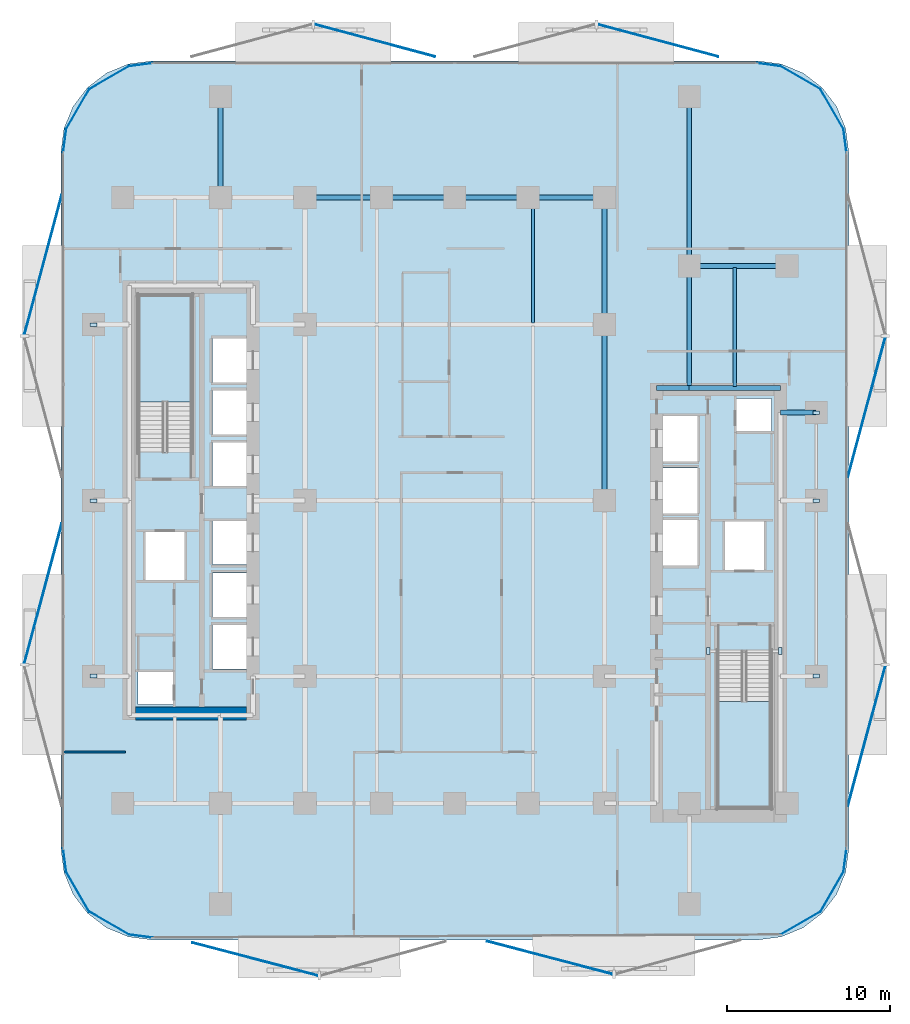
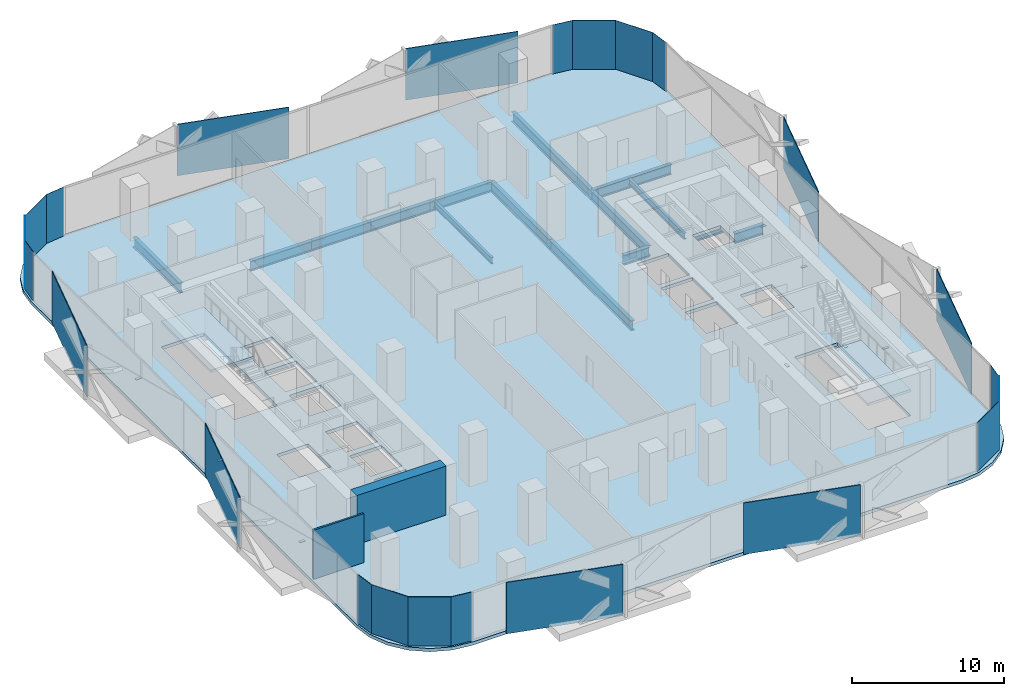
# One storey, part 2 of 16: 31 plates, 15 beams, 3 slabs, 2 walls, 2 elements without a shape of their own.
"""IFC4 building model written with IfcOpenShell, lengths in metres."""

from ifc_helpers import new_model, si_unit, direction, frame, frame_2d, origin, origin_2d, place, context, subcontext, project, spatial, polyline, rectangle, i_section, outline, extrude, material, layer, layer_set, material_profile, profile_set, type_object, element, aggregate, save


model = new_model("IFC4")

# Units and contexts
model_context = context("Model", 3, precision=1e-05, world=origin(), true_north=direction((0.0, 1.0)))
body_context = subcontext(model_context, "Body", "Model", "MODEL_VIEW")
ifc_project = project(units=[si_unit("LENGTHUNIT", "METRE"), si_unit("AREAUNIT", "SQUARE_METRE"), si_unit("VOLUMEUNIT", "CUBIC_METRE"), si_unit("PLANEANGLEUNIT", "RADIAN"), si_unit("MASSUNIT", "GRAM", prefix="KILO")], contexts=[model_context])

# Site, building, storey
site_placement = place(None, origin())
site = spatial("IfcSite", under=ifc_project, at=site_placement, CompositionType="ELEMENT")
building_placement = place(site_placement, origin())
building = spatial("IfcBuilding", under=site, at=building_placement, Name="Khairoan Windgate Tower", CompositionType="ELEMENT")
storey_placement = place(building_placement, frame((0.0, 0.0, 42.800048828125)))
storey = spatial("IfcBuildingStorey", under=building, at=storey_placement, Name="L10", CompositionType="ELEMENT", Elevation=42.800048828125)

# Beams
ifc_material_1 = material(Name="Steel S355", Category="steel")
ifc_material_profile_1 = material_profile(ifc_material_1, i_section(OverallWidth=0.300048828125, OverallDepth=0.800048828125, WebThickness=0.013916015625, FlangeThickness=0.02587890625, FilletRadius=0.028076171875, at=origin_2d()))
ifc_profile_set_1 = profile_set([ifc_material_profile_1], Name="Steel S355")
beam_type_1 = type_object("IfcBeamType", Name="Beam B-G2 H800x300x14x26", PredefinedType="BEAM", material=ifc_profile_set_1)
beam_1_placement = place(storey_placement, frame((20.0, 5.39990234375, -0.66015625), z_axis=(1.0, 0.0, 0.0), x_axis=(0.0, 1.0, 0.0)))
element("IfcBeam", 1, at=beam_1_placement, inside=storey, type_object=beam_type_1, Name="L10 E-W Primary Girder 19", PredefinedType="BEAM", context=body_context, shape_type="SweptSolid", body=[
    extrude(i_section(OverallWidth=0.300048828125, OverallDepth=0.800048828125, WebThickness=0.013916015625, FlangeThickness=0.02587890625, FilletRadius=0.028076171875, at=origin_2d()), origin(), (0.0, 0.0, 1.0), 2.199951171875),
])
beam_2_placement = place(storey_placement, frame((12.39990234375, 6.89990234375, -0.66015625), z_axis=(1.0, 0.0, 0.0), x_axis=(0.0, 1.0, 0.0)))
element("IfcBeam", 2, at=beam_2_placement, inside=storey, type_object=beam_type_1, Name="L10 E-W Primary Girder 20", PredefinedType="BEAM", context=body_context, shape_type="SweptSolid", body=[
    extrude(i_section(OverallWidth=0.300048828125, OverallDepth=0.800048828125, WebThickness=0.013916015625, FlangeThickness=0.02587890625, FilletRadius=0.028076171875, at=origin_2d()), origin(), (0.0, 0.0, 1.0), 2.0),
])
beam_3_placement = place(storey_placement, frame((14.39990234375, 6.89990234375, -0.66015625), z_axis=(1.0, 0.0, 0.0), x_axis=(0.0, 1.0, 0.0)))
element("IfcBeam", 3, at=beam_3_placement, inside=storey, type_object=beam_type_1, Name="L10 E-W Primary Girder 21", PredefinedType="BEAM", context=body_context, shape_type="SweptSolid", body=[
    extrude(i_section(OverallWidth=0.300048828125, OverallDepth=0.800048828125, WebThickness=0.013916015625, FlangeThickness=0.02587890625, FilletRadius=0.028076171875, at=origin_2d()), origin(), (0.0, 0.0, 1.0), 5.60009765625),
])
beam_4_placement = place(storey_placement, frame((14.39990234375, 14.39990234375, -0.66015625), z_axis=(1.0, 0.0, 0.0), x_axis=(0.0, 1.0, 0.0)))
element("IfcBeam", 4, at=beam_4_placement, inside=storey, type_object=beam_type_1, Name="L10 E-W Primary Girder 27", PredefinedType="BEAM", context=body_context, shape_type="SweptSolid", body=[
    extrude(i_section(OverallWidth=0.300048828125, OverallDepth=0.800048828125, WebThickness=0.013916015625, FlangeThickness=0.02587890625, FilletRadius=0.028076171875, at=origin_2d()), origin(), (0.0, 0.0, 1.0), 6.0),
])
beam_5_placement = place(storey_placement, frame((-9.199951171875, 18.60009765625, -0.66015625), z_axis=(1.0, 0.0, 0.0), x_axis=(0.0, 1.0, 0.0)))
element("IfcBeam", 5, at=beam_5_placement, inside=storey, type_object=beam_type_1, Name="L10 E-W Primary Girder 30", PredefinedType="BEAM", context=body_context, shape_type="SweptSolid", body=[
    extrude(i_section(OverallWidth=0.300048828125, OverallDepth=0.800048828125, WebThickness=0.013916015625, FlangeThickness=0.02587890625, FilletRadius=0.028076171875, at=origin_2d()), origin(), (0.0, 0.0, 1.0), 4.699951171875),
])
for number, where, z_axis, x_axis, name in (
    (6, (-4.5, 18.60009765625, -0.66015625), (1.0, 0.0, 0.0), (0.0, 1.0, 0.0), "L10 E-W Primary Girder 31"),
    (7, (0.0, 18.60009765625, -0.66015625), (1.0, 0.0, 0.0), (0.0, 1.0, 0.0), "L10 E-W Primary Girder 32"),
):
    element("IfcBeam", number, at=place(storey_placement, frame(where, z_axis=z_axis, x_axis=x_axis)), inside=storey, type_object=beam_type_1, Name=name, PredefinedType="BEAM", context=body_context, shape_type="SweptSolid", body=[
        extrude(i_section(OverallWidth=0.300048828125, OverallDepth=0.800048828125, WebThickness=0.013916015625, FlangeThickness=0.02587890625, FilletRadius=0.028076171875, at=origin_2d()), origin(), (0.0, 0.0, 1.0), 4.5),
    ])
beam_6_placement = place(storey_placement, frame((4.5, 18.60009765625, -0.66015625), z_axis=(1.0, 0.0, 0.0), x_axis=(0.0, 1.0, 0.0)))
element("IfcBeam", 8, at=beam_6_placement, inside=storey, type_object=beam_type_1, Name="L10 E-W Primary Girder 33", PredefinedType="BEAM", context=body_context, shape_type="SweptSolid", body=[
    extrude(i_section(OverallWidth=0.300048828125, OverallDepth=0.800048828125, WebThickness=0.013916015625, FlangeThickness=0.02587890625, FilletRadius=0.028076171875, at=origin_2d()), origin(), (0.0, 0.0, 1.0), 4.699951171875),
])
beam_7_placement = place(storey_placement, frame((-14.39990234375, 18.60009765625, -0.66015625), z_axis=(0.0, 1.0, 0.0), x_axis=(-1.0, 0.0, 0.0)))
element("IfcBeam", 9, at=beam_7_placement, inside=storey, type_object=beam_type_1, Name="L10 N-S Primary Beam 43", PredefinedType="BEAM", context=body_context, shape_type="SweptSolid", body=[
    extrude(i_section(OverallWidth=0.300048828125, OverallDepth=0.800048828125, WebThickness=0.013916015625, FlangeThickness=0.02587890625, FilletRadius=0.028076171875, at=origin_2d()), origin(), (0.0, 0.0, 1.0), 6.199951171875),
])
beam_8_placement = place(storey_placement, frame((9.199951171875, 0.0, -0.66015625), z_axis=(0.0, 1.0, 0.0), x_axis=(-1.0, 0.0, 0.0)))
element("IfcBeam", 10, at=beam_8_placement, inside=storey, type_object=beam_type_1, Name="L10 N-S Primary Beam 52", PredefinedType="BEAM", context=body_context, shape_type="SweptSolid", body=[
    extrude(i_section(OverallWidth=0.300048828125, OverallDepth=0.800048828125, WebThickness=0.013916015625, FlangeThickness=0.02587890625, FilletRadius=0.028076171875, at=origin_2d()), origin(), (0.0, 0.0, 1.0), 10.800048828125),
])
beam_9_placement = place(storey_placement, frame((9.199951171875, 10.800048828125, -0.66015625), z_axis=(0.0, 1.0, 0.0), x_axis=(-1.0, 0.0, 0.0)))
element("IfcBeam", 11, at=beam_9_placement, inside=storey, type_object=beam_type_1, Name="L10 N-S Primary Beam 53", PredefinedType="BEAM", context=body_context, shape_type="SweptSolid", body=[
    extrude(i_section(OverallWidth=0.300048828125, OverallDepth=0.800048828125, WebThickness=0.013916015625, FlangeThickness=0.02587890625, FilletRadius=0.028076171875, at=origin_2d()), origin(), (0.0, 0.0, 1.0), 7.800048828125),
])
beam_10_placement = place(storey_placement, frame((14.39990234375, 6.89990234375, -0.66015625), z_axis=(0.0, 1.0, 0.0), x_axis=(-1.0, 0.0, 0.0)))
element("IfcBeam", 12, at=beam_10_placement, inside=storey, type_object=beam_type_1, Name="L10 N-S Primary Beam 56", PredefinedType="BEAM", context=body_context, shape_type="SweptSolid", body=[
    extrude(i_section(OverallWidth=0.300048828125, OverallDepth=0.800048828125, WebThickness=0.013916015625, FlangeThickness=0.02587890625, FilletRadius=0.028076171875, at=origin_2d()), origin(), (0.0, 0.0, 1.0), 7.5),
])
beam_11_placement = place(storey_placement, frame((14.39990234375, 14.39990234375, -0.66015625), z_axis=(0.0, 1.0, 0.0), x_axis=(-1.0, 0.0, 0.0)))
element("IfcBeam", 13, at=beam_11_placement, inside=storey, type_object=beam_type_1, Name="L10 N-S Primary Beam 57", PredefinedType="BEAM", context=body_context, shape_type="SweptSolid", body=[
    extrude(i_section(OverallWidth=0.300048828125, OverallDepth=0.800048828125, WebThickness=0.013916015625, FlangeThickness=0.02587890625, FilletRadius=0.028076171875, at=origin_2d()), origin(), (0.0, 0.0, 1.0), 10.400146484375),
])
ifc_material_2 = material(Name="Steel S355", Category="steel")
ifc_material_profile_2 = material_profile(ifc_material_2, i_section(OverallWidth=0.199951171875, OverallDepth=0.5, WebThickness=0.010009765625, FlangeThickness=0.01611328125, FilletRadius=0.02001953125, at=origin_2d()))
ifc_profile_set_2 = profile_set([ifc_material_profile_2], Name="Steel S355")
beam_type_2 = type_object("IfcBeamType", Name="Beam J-S2 H500x200x10x16", PredefinedType="JOIST", material=ifc_profile_set_2)
beam_12_placement = place(storey_placement, frame((4.800048828125, 10.889892578125, -0.510009765625), z_axis=(0.0, 1.0, 0.0), x_axis=(-1.0, 0.0, 0.0)))
element("IfcBeam", 14, at=beam_12_placement, inside=storey, type_object=beam_type_2, Name="L10 Secondary Floor Joist 10", PredefinedType="JOIST", context=body_context, shape_type="SweptSolid", body=[
    extrude(i_section(OverallWidth=0.199951171875, OverallDepth=0.5, WebThickness=0.010009765625, FlangeThickness=0.01611328125, FilletRadius=0.02001953125, at=origin_2d()), origin(), (0.0, 0.0, 1.0), 7.6201171875),
])
beam_13_placement = place(storey_placement, frame((17.199951171875, 6.989990234375, -0.510009765625), z_axis=(0.0, 1.0, 0.0), x_axis=(-1.0, 0.0, 0.0)))
element("IfcBeam", 15, at=beam_13_placement, inside=storey, type_object=beam_type_2, Name="L10 Secondary Floor Joist 11", PredefinedType="JOIST", context=body_context, shape_type="SweptSolid", body=[
    extrude(i_section(OverallWidth=0.199951171875, OverallDepth=0.5, WebThickness=0.010009765625, FlangeThickness=0.01611328125, FilletRadius=0.02001953125, at=origin_2d()), origin(), (0.0, 0.0, 1.0), 7.320068359375),
])

# Plates
ifc_material_3 = material(Name="Low-E Solar Control Laminated Glass", Category="glass")
ifc_layer_1 = layer(ifc_material_3, 0.030029296875, Name="Low-E Solar Control Laminated Glass")
ifc_layer_set_1 = layer_set([ifc_layer_1], Name="Low-E Solar Control Laminated Glass")
plate_type_1 = type_object("IfcPlateType", Name="Aerodynamic Wind-Corner Curved Glazing Plate", PredefinedType="USERDEFINED", material=ifc_layer_set_1)
plate_placement = place(storey_placement, frame((-19.302001953125, -26.766357421875, 0.0), z_axis=(0.0, 0.0, 1.0), x_axis=(-0.991444861374, 0.13052619222, 0.0)))
element("IfcPlate", 16, at=plate_placement, inside=storey, type_object=plate_type_1, Name="L10 Aerodynamic Wind-Corner Curved Glazing Panel 2", ObjectType="GLAZING PANEL", PredefinedType="USERDEFINED", context=body_context, shape_type="SweptSolid", body=[
    extrude(rectangle(XDim=1.474365234375, YDim=0.028076171875, at=origin_2d()), origin(), (0.0, 0.0, 1.0), 3.93994140625),
])
for number, where, z_axis, x_axis, name in (
    (17, (-21.236328125, -25.96630859375, 0.0), (0.0, 0.0, 1.0), (-0.866025403784, 0.5, 0.0), "L10 Aerodynamic Wind-Corner Curved Glazing Panel 3"),
    (18, (-23.16650390625, -24.03662109375, 0.0), (0.0, 0.0, 1.0), (-0.5, 0.866025403784, 0.0), "L10 Aerodynamic Wind-Corner Curved Glazing Panel 4"),
):
    element("IfcPlate", number, at=place(storey_placement, frame(where, z_axis=z_axis, x_axis=x_axis)), inside=storey, type_object=plate_type_1, Name=name, ObjectType="GLAZING PANEL", PredefinedType="USERDEFINED", context=body_context, shape_type="SweptSolid", body=[
        extrude(rectangle(XDim=2.86572265625, YDim=0.028076171875, at=origin_2d()), origin(), (0.0, 0.0, 1.0), 3.93994140625),
    ])
for number, where, z_axis, x_axis, name in (
    (19, (-23.96630859375, -22.101806640625, 0.0), (0.0, 0.0, 1.0), (-0.13052619222, 0.991444861374, 0.0), "L10 Aerodynamic Wind-Corner Curved Glazing Panel 5"),
    (20, (-23.96630859375, 22.101806640625, 0.0), (0.0, 0.0, 1.0), (0.13052619222, 0.991444861374, 0.0), "L10 Aerodynamic Wind-Corner Curved Glazing Panel 7"),
):
    element("IfcPlate", number, at=place(storey_placement, frame(where, z_axis=z_axis, x_axis=x_axis)), inside=storey, type_object=plate_type_1, Name=name, ObjectType="GLAZING PANEL", PredefinedType="USERDEFINED", context=body_context, shape_type="SweptSolid", body=[
        extrude(rectangle(XDim=1.474365234375, YDim=0.028076171875, at=origin_2d()), origin(), (0.0, 0.0, 1.0), 3.93994140625),
    ])
for number, where, z_axis, x_axis, name in (
    (21, (-23.16650390625, 24.03662109375, 0.0), (0.0, 0.0, 1.0), (0.5, 0.866025403784, 0.0), "L10 Aerodynamic Wind-Corner Curved Glazing Panel 8"),
    (22, (-21.236328125, 25.96630859375, 0.0), (0.0, 0.0, 1.0), (0.866025403784, 0.5, 0.0), "L10 Aerodynamic Wind-Corner Curved Glazing Panel 9"),
):
    element("IfcPlate", number, at=place(storey_placement, frame(where, z_axis=z_axis, x_axis=x_axis)), inside=storey, type_object=plate_type_1, Name=name, ObjectType="GLAZING PANEL", PredefinedType="USERDEFINED", context=body_context, shape_type="SweptSolid", body=[
        extrude(rectangle(XDim=2.86572265625, YDim=0.028076171875, at=origin_2d()), origin(), (0.0, 0.0, 1.0), 3.93994140625),
    ])
for number, where, z_axis, x_axis, name in (
    (23, (-19.302001953125, 26.766357421875, 0.0), (0.0, 0.0, 1.0), (0.991444861374, 0.13052619222, 0.0), "L10 Aerodynamic Wind-Corner Curved Glazing Panel 10"),
    (24, (19.302001953125, 26.766357421875, 0.0), (0.0, 0.0, 1.0), (0.991444861374, -0.13052619222, 0.0), "L10 Aerodynamic Wind-Corner Curved Glazing Panel 12"),
):
    element("IfcPlate", number, at=place(storey_placement, frame(where, z_axis=z_axis, x_axis=x_axis)), inside=storey, type_object=plate_type_1, Name=name, ObjectType="GLAZING PANEL", PredefinedType="USERDEFINED", context=body_context, shape_type="SweptSolid", body=[
        extrude(rectangle(XDim=1.474365234375, YDim=0.028076171875, at=origin_2d()), origin(), (0.0, 0.0, 1.0), 3.93994140625),
    ])
for number, where, z_axis, x_axis, name in (
    (25, (21.236328125, 25.96630859375, 0.0), (0.0, 0.0, 1.0), (0.866025403784, -0.5, 0.0), "L10 Aerodynamic Wind-Corner Curved Glazing Panel 13"),
    (26, (23.16650390625, 24.03662109375, 0.0), (0.0, 0.0, 1.0), (0.5, -0.866025403784, 0.0), "L10 Aerodynamic Wind-Corner Curved Glazing Panel 14"),
):
    element("IfcPlate", number, at=place(storey_placement, frame(where, z_axis=z_axis, x_axis=x_axis)), inside=storey, type_object=plate_type_1, Name=name, ObjectType="GLAZING PANEL", PredefinedType="USERDEFINED", context=body_context, shape_type="SweptSolid", body=[
        extrude(rectangle(XDim=2.86572265625, YDim=0.028076171875, at=origin_2d()), origin(), (0.0, 0.0, 1.0), 3.93994140625),
    ])
for number, where, z_axis, x_axis, name in (
    (27, (23.96630859375, 22.101806640625, 0.0), (0.0, 0.0, 1.0), (0.13052619222, -0.991444861374, 0.0), "L10 Aerodynamic Wind-Corner Curved Glazing Panel 15"),
    (28, (23.96630859375, -22.101806640625, 0.0), (0.0, 0.0, 1.0), (-0.13052619222, -0.991444861374, 0.0), "L10 Aerodynamic Wind-Corner Curved Glazing Panel 17"),
):
    element("IfcPlate", number, at=place(storey_placement, frame(where, z_axis=z_axis, x_axis=x_axis)), inside=storey, type_object=plate_type_1, Name=name, ObjectType="GLAZING PANEL", PredefinedType="USERDEFINED", context=body_context, shape_type="SweptSolid", body=[
        extrude(rectangle(XDim=1.474365234375, YDim=0.028076171875, at=origin_2d()), origin(), (0.0, 0.0, 1.0), 3.93994140625),
    ])
for number, where, z_axis, x_axis, name in (
    (29, (23.16650390625, -24.03662109375, 0.0), (0.0, 0.0, 1.0), (-0.5, -0.866025403784, 0.0), "L10 Aerodynamic Wind-Corner Curved Glazing Panel 18"),
    (30, (21.236328125, -25.96630859375, 0.0), (0.0, 0.0, 1.0), (-0.866025403784, -0.5, 0.0), "L10 Aerodynamic Wind-Corner Curved Glazing Panel 19"),
):
    element("IfcPlate", number, at=place(storey_placement, frame(where, z_axis=z_axis, x_axis=x_axis)), inside=storey, type_object=plate_type_1, Name=name, ObjectType="GLAZING PANEL", PredefinedType="USERDEFINED", context=body_context, shape_type="SweptSolid", body=[
        extrude(rectangle(XDim=2.86572265625, YDim=0.028076171875, at=origin_2d()), origin(), (0.0, 0.0, 1.0), 3.93994140625),
    ])
ifc_material_4 = material(Name="Steel S355", Category="steel")
ifc_layer_2 = layer(ifc_material_4, 0.0400390625, Name="Steel S355")
ifc_layer_set_2 = layer_set([ifc_layer_2], Name="Steel S355")
plate_type_2 = type_object("IfcPlateType", Name="Hollow Section End-Cap Plate PL-CAP40", PredefinedType="SHEET", material=ifc_layer_set_2)
for number, where, z_axis, x_axis, name in (
    (31, (-22.199951171875, -10.784912109375, -0.47998046875), (0.0, 0.0, 1.0), (0.0, 1.0, 0.0), "BM-SP-L10-034 steel end-cap plate 1"),
    (32, (-22.199951171875, -0.014892578125, -0.47998046875), (0.0, 0.0, 1.0), (0.0, 1.0, 0.0), "BM-SP-L10-034 steel end-cap plate 2"),
    (33, (-22.199951171875, 10.784912109375, -0.47998046875), (0.0, 0.0, 1.0), (0.0, 1.0, 0.0), "BM-SP-L10-035 steel end-cap plate 2"),
    (34, (22.199951171875, -10.784912109375, -0.47998046875), (0.0, 0.0, 1.0), (0.0, 1.0, 0.0), "BM-SP-L10-061 steel end-cap plate 1"),
    (35, (22.199951171875, -0.014892578125, -0.47998046875), (0.0, 0.0, 1.0), (0.0, 1.0, 0.0), "BM-SP-L10-061 steel end-cap plate 2"),
    (36, (22.199951171875, 5.385009765625, -0.47998046875), (0.0, 0.0, 1.0), (0.0, 1.0, 0.0), "BM-SP-L10-062 steel end-cap plate 2"),
    (37, (15.56494140625, -9.260009765625, -0.47998046875), (0.0, 0.0, 1.0), (1.0, 0.0, 0.0), "BM-ST1-TRIM-L10 steel end-cap plate 1"),
    (38, (19.985107421875, -9.260009765625, -0.47998046875), (0.0, 0.0, 1.0), (1.0, 0.0, 0.0), "BM-ST1-TRIM-L10 steel end-cap plate 2"),
):
    element("IfcPlate", number, at=place(storey_placement, frame(where, z_axis=z_axis, x_axis=x_axis)), inside=storey, type_object=plate_type_2, Name=name, PredefinedType="SHEET", context=body_context, shape_type="SweptSolid", body=[
        extrude(rectangle(XDim=0.219970703125, YDim=0.419921875, at=origin_2d()), origin(), (0.0, 0.0, 1.0), 0.0400390625),
    ])
ifc_material_5 = material(Name="Anodised Bronze Aluminium 6063-T6", Category="aluminium")
ifc_layer_3 = layer(ifc_material_5, 0.054931640625, Name="Anodised Bronze Aluminium 6063-T6")
ifc_layer_set_3 = layer_set([ifc_layer_3], Name="Anodised Bronze Aluminium 6063-T6")
plate_type_3 = type_object("IfcPlateType", Name="Perforated Bronze Solar Screen Panel BSP-1", PredefinedType="USERDEFINED", material=ifc_layer_set_3)
for number, where, z_axis, x_axis, name in (
    (39, (5.831787109375, -28.0908203125, -0.10009765625), (0.0, 0.0, 1.0), (-0.967179115616, 0.254095569259, 0.0), "L10 Perforated Bronze Solar Screen Panel 33R"),
    (40, (-12.27001953125, -28.1787109375, -0.10009765625), (0.0, 0.0, 1.0), (-0.967179115616, 0.254095569259, 0.0), "L10 Perforated Bronze Solar Screen Panel 34R"),
):
    element("IfcPlate", number, at=place(storey_placement, frame(where, z_axis=z_axis, x_axis=x_axis)), inside=storey, type_object=plate_type_3, Name=name, ObjectType="SCREEN", PredefinedType="USERDEFINED", context=body_context, shape_type="SweptSolid", body=[
        extrude(rectangle(XDim=7.965087890625, YDim=0.054931640625, at=origin_2d()), origin(), (0.0, 0.0, 1.0), 4.139892578125),
    ])
for number, where, z_axis, x_axis, name in (
    (41, (-25.290283203125, -5.71484375, -0.10009765625), (0.0, 0.0, 1.0), (0.258819045103, 0.965925826289, 0.0), "L10 Perforated Bronze Solar Screen Panel 35R"),
    (42, (-25.290283203125, 14.47607421875, -0.10009765625), (0.0, 0.0, 1.0), (0.258819045103, 0.965925826289, 0.0), "L10 Perforated Bronze Solar Screen Panel 36R"),
):
    element("IfcPlate", number, at=place(storey_placement, frame(where, z_axis=z_axis, x_axis=x_axis)), inside=storey, type_object=plate_type_3, Name=name, ObjectType="SCREEN", PredefinedType="USERDEFINED", context=body_context, shape_type="SweptSolid", body=[
        extrude(rectangle(XDim=8.884033203125, YDim=0.054931640625, at=origin_2d()), origin(), (0.0, 0.0, 1.0), 4.139892578125),
    ])
for number, where, z_axis, x_axis, name in (
    (43, (-4.909912109375, 28.249755859375, -0.10009765625), (0.0, 0.0, 1.0), (0.965925826289, -0.258819045103, 0.0), "L10 Perforated Bronze Solar Screen Panel 37R"),
    (44, (12.48095703125, 28.249755859375, -0.10009765625), (0.0, 0.0, 1.0), (0.965925826289, -0.258819045103, 0.0), "L10 Perforated Bronze Solar Screen Panel 38R"),
):
    element("IfcPlate", number, at=place(storey_placement, frame(where, z_axis=z_axis, x_axis=x_axis)), inside=storey, type_object=plate_type_3, Name=name, ObjectType="SCREEN", PredefinedType="USERDEFINED", context=body_context, shape_type="SweptSolid", body=[
        extrude(rectangle(XDim=7.652099609375, YDim=0.054931640625, at=origin_2d()), origin(), (0.0, 0.0, 1.0), 4.139892578125),
    ])
for number, where, z_axis, x_axis, name in (
    (45, (25.290283203125, 5.71484375, -0.10009765625), (0.0, 0.0, 1.0), (-0.258819045103, -0.965925826289, 0.0), "L10 Perforated Bronze Solar Screen Panel 39R"),
    (46, (25.290283203125, -14.47607421875, -0.10009765625), (0.0, 0.0, 1.0), (-0.258819045103, -0.965925826289, 0.0), "L10 Perforated Bronze Solar Screen Panel 40R"),
):
    element("IfcPlate", number, at=place(storey_placement, frame(where, z_axis=z_axis, x_axis=x_axis)), inside=storey, type_object=plate_type_3, Name=name, ObjectType="SCREEN", PredefinedType="USERDEFINED", context=body_context, shape_type="SweptSolid", body=[
        extrude(rectangle(XDim=8.884033203125, YDim=0.054931640625, at=origin_2d()), origin(), (0.0, 0.0, 1.0), 4.139892578125),
    ])

# Stair, slab
ifc_material_6 = material(Name="Concrete C40/50", Category="concrete")
stair_type = type_object("IfcStairType", Name="Tower Core Dog-Leg Stair ST-T1 1560mm", PredefinedType="HALF_TURN_STAIR", material=ifc_material_6)
stair_1_placement = place(storey_placement, origin())
stair_1 = element("IfcStair", 47, at=stair_1_placement, inside=storey, type_object=stair_type, Name="L10 Stair ST1", PredefinedType="HALF_TURN_STAIR")
ifc_material_7 = material(Name="Concrete C40/50", Category="concrete")
ifc_layer_4 = layer(ifc_material_7, 0.199951171875, Name="Concrete C40/50")
ifc_layer_set_4 = layer_set([ifc_layer_4], Name="Concrete C40/50")
slab_type_1 = type_object("IfcSlabType", Name="Reinforced Concrete Stair Landing Slab STL-200", PredefinedType="LANDING", material=ifc_layer_set_4)
slab_1_placement = place(storey_placement, frame((0.0, 0.0, 1.89990234375)))
slab_1 = element("IfcSlab", 48, at=slab_1_placement, type_object=slab_type_1, Name="ST1 landing 1", PredefinedType="LANDING", context=body_context, shape_type="SweptSolid", body=[
    extrude(outline(polyline([(16.14990234375, -12.340087890625), (16.14990234375, -18.89990234375), (19.419921875, -18.89990234375), (19.419921875, -12.340087890625), (16.14990234375, -12.340087890625)])), origin(), (0.0, 0.0, 1.0), 0.199951171875),
])
aggregate(stair_1, [slab_1])

stair_2_placement = place(storey_placement, origin())
stair_2 = element("IfcStair", 49, at=stair_2_placement, inside=storey, type_object=stair_type, Name="L10 Stair ST2", PredefinedType="HALF_TURN_STAIR")
slab_2_placement = place(storey_placement, frame((0.0, 0.0, 1.89990234375)))
slab_2 = element("IfcSlab", 50, at=slab_2_placement, type_object=slab_type_1, Name="ST2 landing 1", PredefinedType="LANDING", context=body_context, shape_type="SweptSolid", body=[
    extrude(outline(polyline([(-16.14990234375, 6.0400390625), (-16.14990234375, 12.60009765625), (-19.419921875, 12.60009765625), (-19.419921875, 6.0400390625), (-16.14990234375, 6.0400390625)])), origin(), (0.0, 0.0, 1.0), 0.199951171875),
])
aggregate(stair_2, [slab_2])

# Slab
ifc_material_8 = material(Name="Concrete C40/50", Category="concrete")
ifc_layer_5 = layer(ifc_material_8, 0.260009765625, Name="Concrete C40/50")
ifc_layer_set_5 = layer_set([ifc_layer_5], Name="Concrete C40/50")
slab_type_2 = type_object("IfcSlabType", Name="Tower Composite Floor Slab FS2 260mm", PredefinedType="FLOOR", material=ifc_layer_set_5)
slab_3_placement = place(storey_placement, frame((0.0, 0.0, -0.260009765625)))
element("IfcSlab", 51, at=slab_3_placement, inside=storey, type_object=slab_type_2, Name="L10 Structural Floor Slab", PredefinedType="FLOOR", context=body_context, shape_type="SweptSolid", body=[
    extrude(outline(polyline([(18.60009765625, -27.0), (20.04931640625, -26.80908203125), (21.39990234375, -26.249755859375), (22.559814453125, -25.35986328125), (23.44970703125, -24.199951171875), (24.00927734375, -22.849365234375), (24.199951171875, -21.39990234375), (24.199951171875, 21.39990234375), (24.00927734375, 22.849365234375), (23.44970703125, 24.199951171875), (22.559814453125, 25.35986328125), (21.39990234375, 26.249755859375), (20.04931640625, 26.80908203125), (18.60009765625, 27.0), (-18.60009765625, 27.0), (-20.04931640625, 26.80908203125), (-21.39990234375, 26.249755859375), (-22.559814453125, 25.35986328125), (-23.44970703125, 24.199951171875), (-24.00927734375, 22.849365234375), (-24.199951171875, 21.39990234375), (-24.199951171875, -21.39990234375), (-24.00927734375, -22.849365234375), (-23.44970703125, -24.199951171875), (-22.559814453125, -25.35986328125), (-21.39990234375, -26.249755859375), (-20.04931640625, -26.80908203125), (-18.60009765625, -27.0), (18.60009765625, -27.0)]), holes=[polyline([(16.14990234375, -9.260009765625), (16.14990234375, -18.89990234375), (19.419921875, -18.89990234375), (19.419921875, -9.260009765625), (16.14990234375, -9.260009765625)]), polyline([(-16.14990234375, 2.9599609375), (-16.14990234375, 12.60009765625), (-19.419921875, 12.60009765625), (-19.419921875, 2.9599609375), (-16.14990234375, 2.9599609375)]), polyline([(-14.89990234375, 7.25), (-12.5, 7.25), (-12.5, 9.949951171875), (-14.89990234375, 9.949951171875), (-14.89990234375, 7.25)]), polyline([(-14.89990234375, 4.050048828125), (-12.5, 4.050048828125), (-12.5, 6.75), (-14.89990234375, 6.75), (-14.89990234375, 4.050048828125)]), polyline([(-14.89990234375, 0.85009765625), (-12.5, 0.85009765625), (-12.5, 3.550048828125), (-14.89990234375, 3.550048828125), (-14.89990234375, 0.85009765625)]), polyline([(-14.89990234375, -3.949951171875), (-12.5, -3.949951171875), (-12.5, -1.25), (-14.89990234375, -1.25), (-14.89990234375, -3.949951171875)]), polyline([(-14.89990234375, -7.14990234375), (-12.5, -7.14990234375), (-12.5, -4.449951171875), (-14.89990234375, -4.449951171875), (-14.89990234375, -7.14990234375)]), polyline([(-14.89990234375, -10.35009765625), (-12.5, -10.35009765625), (-12.5, -7.64990234375), (-14.89990234375, -7.64990234375), (-14.89990234375, -10.35009765625)]), polyline([(12.5, 2.39990234375), (14.89990234375, 2.39990234375), (14.89990234375, 5.199951171875), (12.5, 5.199951171875), (12.5, 2.39990234375)]), polyline([(12.5, -0.800048828125), (14.89990234375, -0.800048828125), (14.89990234375, 2.0), (12.5, 2.0), (12.5, -0.800048828125)]), polyline([(12.5, -4.0), (14.89990234375, -4.0), (14.89990234375, -1.199951171875), (12.5, -1.199951171875), (12.5, -4.0)]), polyline([(16.60009765625, -4.300048828125), (19.0, -4.300048828125), (19.0, -1.300048828125), (16.60009765625, -1.300048828125), (16.60009765625, -4.300048828125)]), polyline([(-19.0, -4.89990234375), (-16.60009765625, -4.89990234375), (-16.60009765625, -1.89990234375), (-19.0, -1.89990234375), (-19.0, -4.89990234375)]), polyline([(-19.449951171875, -12.550048828125), (-17.31005859375, -12.550048828125), (-17.31005859375, -10.550048828125), (-19.449951171875, -10.550048828125), (-19.449951171875, -12.550048828125)]), polyline([(17.31005859375, 4.25), (19.449951171875, 4.25), (19.449951171875, 6.25), (17.31005859375, 6.25), (17.31005859375, 4.25)])]), origin(), (0.0, 0.0, 1.0), 0.260009765625),
])

# Walls
ifc_material_9 = material(Name="Acoustic Fire-Rated Gypsum Partition", Category="gypsum")
ifc_layer_6 = layer(ifc_material_9, 0.139892578125, Name="Acoustic Fire-Rated Gypsum Partition")
ifc_layer_set_6 = layer_set([ifc_layer_6], Name="Acoustic Fire-Rated Gypsum Partition")
wall_type_1 = type_object("IfcWallType", Name="Inter-Tenancy Compartment Wall", PredefinedType="PARTITIONING", material=ifc_layer_set_6)
wall_1_placement = place(storey_placement, frame((-24.054931640625, -15.4599609375, 0.0), z_axis=(0.0, 0.0, 1.0), x_axis=(1.0, 0.0, 0.0)))
element("IfcWall", 52, at=wall_1_placement, inside=storey, type_object=wall_type_1, Name="L10 Interior Partition 026", PredefinedType="PARTITIONING", context=body_context, shape_type="SweptSolid", body=[
    extrude(rectangle(XDim=3.81494140625, YDim=0.139892578125, at=frame_2d((1.907470703125, 0.0))), origin(), (0.0, 0.0, 1.0), 3.93994140625),
])
ifc_material_10 = material(Name="Concrete C70/85", Category="concrete")
ifc_layer_7 = layer(ifc_material_10, 0.800048828125, Name="Concrete C70/85")
ifc_layer_set_7 = layer_set([ifc_layer_7], Name="Concrete C70/85")
wall_type_2 = type_object("IfcWallType", Name="Shear Wall CW-W1 800mm", PredefinedType="SHEAR", material=ifc_layer_set_7)
wall_2_placement = place(storey_placement, frame((-19.60009765625, -13.10009765625, 0.0), z_axis=(0.0, 0.0, 1.0), x_axis=(1.0, 0.0, 0.0)))
element("IfcWall", 53, at=wall_2_placement, inside=storey, type_object=wall_type_2, Name="W Core South Shear Wall L10", PredefinedType="SHEAR", context=body_context, shape_type="SweptSolid", body=[
    extrude(rectangle(XDim=6.800048828125, YDim=0.800048828125, at=frame_2d((3.39990234375, 0.0))), origin(), (0.0, 0.0, 1.0), 3.93994140625),
])

save(model, "model.ifc")
